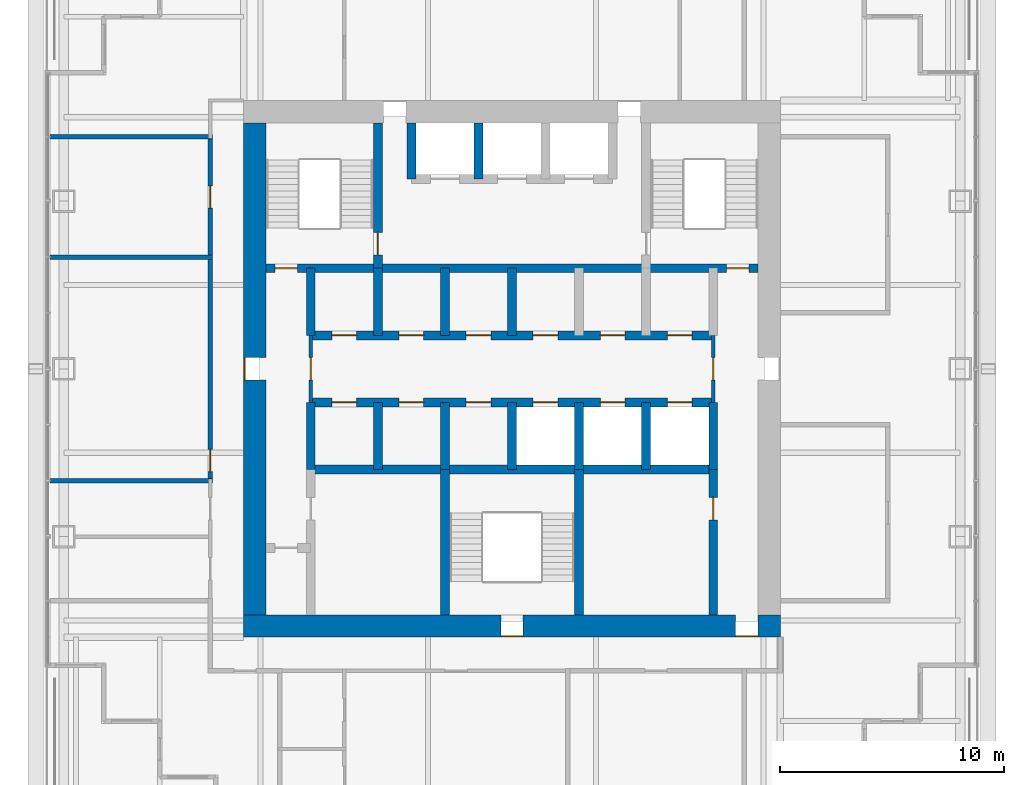
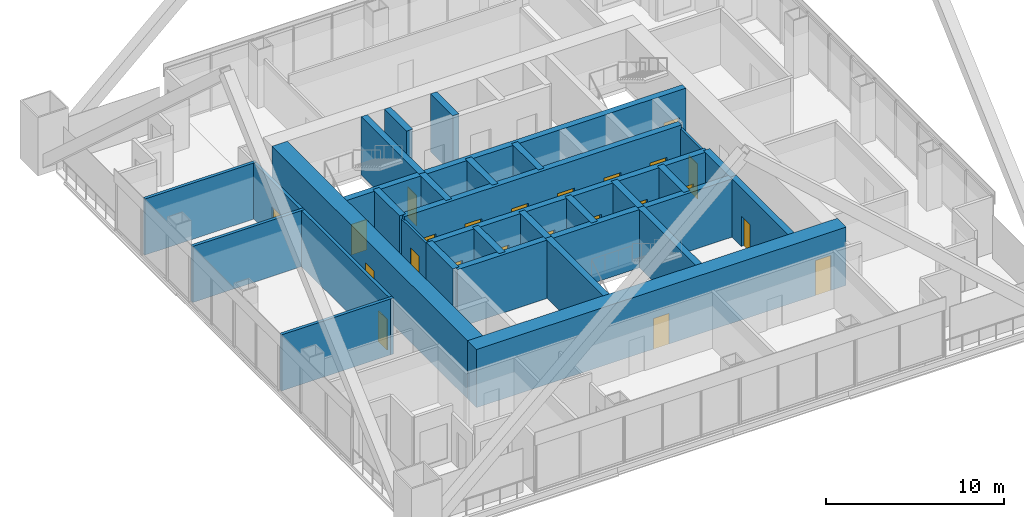
# One storey, part 9 of 13: 29 walls, 23 doors, 23 openings.
"""IFC4 building model written with IfcOpenShell, lengths in metres."""

from ifc_helpers import new_model, si_unit, direction, frame, frame_2d, origin, place, context, subcontext, project, spatial, rectangle, extrude, material, layer, layer_set, type_object, element, fill, save


model = new_model("IFC4")

# Units and contexts
model_context = context("Model", 3, precision=1e-05, world=origin(), true_north=direction((0.0, 1.0)))
body_context = subcontext(model_context, "Body", "Model", "MODEL_VIEW")
ifc_project = project(units=[si_unit("LENGTHUNIT", "METRE"), si_unit("AREAUNIT", "SQUARE_METRE"), si_unit("VOLUMEUNIT", "CUBIC_METRE"), si_unit("PLANEANGLEUNIT", "RADIAN"), si_unit("MASSUNIT", "GRAM", prefix="KILO")], contexts=[model_context])

# Site, building, storey
site_placement = place(None, origin())
site = spatial("IfcSite", under=ifc_project, at=site_placement, CompositionType="ELEMENT")
building_placement = place(site_placement, origin())
building = spatial("IfcBuilding", under=site, at=building_placement, Name="Tarangal Relay Tower", CompositionType="ELEMENT")
storey_placement = place(building_placement, frame((0.0, 0.0, 259.89990234375)))
storey = spatial("IfcBuildingStorey", under=building, at=storey_placement, Name="L56", CompositionType="ELEMENT", Elevation=259.89990234375)

# Walls
ifc_material_1 = material(Name="Two layers gypsum board each side on twin steel studs, mineral wool", Category="steel")
ifc_layer_1 = layer(ifc_material_1, 0.199951171875)
ifc_layer_set_1 = layer_set([ifc_layer_1], Name="Acoustic partition 200")
wall_type_1 = type_object("IfcWallType", Name="Acoustic partition 200", PredefinedType="PARTITIONING", material=ifc_layer_set_1)
for number, where, z_axis, x_axis, name in (
    (1, (-20.64990234375, -5.0, 0.0), (0.0, 0.0, 1.0), (1.0, 0.0, 0.0), "Partition PT2 L56"),
    (2, (-20.64990234375, 5.0, 0.0), (0.0, 0.0, 1.0), (1.0, 0.0, 0.0), "Partition PT2 L56"),
    (3, (-20.64990234375, 10.375, 0.0), (0.0, 0.0, 1.0), (1.0, 0.0, 0.0), "Partition PT2 L56"),
):
    element("IfcWall", number, at=place(storey_placement, frame(where, z_axis=z_axis, x_axis=x_axis)), inside=storey, type_object=wall_type_1, Name=name, PredefinedType="PARTITIONING", context=body_context, shape_type="SweptSolid", body=[
        extrude(rectangle(XDim=7.25, YDim=0.199951171875, at=frame_2d((3.625, 0.0))), origin(), (0.0, 0.0, 1.0), 3.85009765625),
    ])

# Wall, openings, doors
wall_1_placement = place(storey_placement, frame((-13.5, -5.10009765625, 0.0), z_axis=(0.0, 0.0, 1.0), x_axis=(0.0, 1.0, 0.0)))
wall_1 = element("IfcWall", 4, at=wall_1_placement, inside=storey, type_object=wall_type_1, Name="Partition PT2 L56", PredefinedType="PARTITIONING", context=body_context, shape_type="SweptSolid", body=[
    extrude(rectangle(XDim=15.5751953125, YDim=0.199951171875, at=frame_2d((7.78759765625, 0.0))), origin(), (0.0, 0.0, 1.0), 3.85009765625),
])
opening_1_placement = place(wall_1_placement, frame((0.5, 0.0, 0.0)))
opening_1 = element("IfcOpeningElement", 5, at=opening_1_placement, cuts=wall_1, Name="Opening D2", PredefinedType="OPENING", context=body_context, shape_type="SweptSolid", body=[
    extrude(rectangle(XDim=1.0, YDim=2.10009765625, at=frame_2d((0.5, 1.050048828125))), frame((0.0, 0.10986328125, 0.0), z_axis=(0.0, -1.0, 0.0), x_axis=(1.0, 0.0, 0.0)), (0.0, 0.0, 1.0), 0.219970703125),
])
opening_2_placement = place(wall_1_placement, frame((12.28759765625, 0.0, 0.0)))
opening_2 = element("IfcOpeningElement", 6, at=opening_2_placement, cuts=wall_1, Name="Opening D2", PredefinedType="OPENING", context=body_context, shape_type="SweptSolid", body=[
    extrude(rectangle(XDim=1.0, YDim=2.10009765625, at=frame_2d((0.5, 1.050048828125))), frame((0.0, 0.10986328125, 0.0), z_axis=(0.0, -1.0, 0.0), x_axis=(1.0, 0.0, 0.0)), (0.0, 0.0, 1.0), 0.219970703125),
])
ifc_material_2 = material(Name="Hardwood door", Category="wood")
door_type_1 = type_object("IfcDoorType", Name="Door 1000 x 2100", OperationType="SINGLE_SWING_LEFT", PredefinedType="DOOR", material=ifc_material_2)
door_1_placement = place(opening_1_placement, origin())
door_1 = element("IfcDoor", 7, at=door_1_placement, inside=storey, type_object=door_type_1, Name="Door D2 to prayer room for men L56-12", OperationType="SINGLE_SWING_LEFT", OverallHeight=2.10009765625, OverallWidth=1.0, PredefinedType="DOOR", context=body_context, shape_type="SweptSolid", body=[
    extrude(rectangle(XDim=1.0, YDim=2.10009765625, at=frame_2d((0.5, 1.050048828125))), frame((0.0, 0.02490234375, 0.0), z_axis=(0.0, -1.0, 0.0), x_axis=(1.0, 0.0, 0.0)), (0.0, 0.0, 1.0), 0.050048828125),
])
fill(opening_1, door_1)
door_2_placement = place(opening_2_placement, origin())
door_2 = element("IfcDoor", 8, at=door_2_placement, inside=storey, type_object=door_type_1, Name="Door D2 to quiet room L56-13", OperationType="SINGLE_SWING_LEFT", OverallHeight=2.10009765625, OverallWidth=1.0, PredefinedType="DOOR", context=body_context, shape_type="SweptSolid", body=[
    extrude(rectangle(XDim=1.0, YDim=2.10009765625, at=frame_2d((0.5, 1.050048828125))), frame((0.0, 0.02490234375, 0.0), z_axis=(0.0, -1.0, 0.0), x_axis=(1.0, 0.0, 0.0)), (0.0, 0.0, 1.0), 0.050048828125),
])
fill(opening_2, door_2)

ifc_material_3 = material(Name="Concrete fc' 60 MPa", Category="concrete")
ifc_layer_2 = layer(ifc_material_3, 0.39990234375)
ifc_layer_set_2 = layer_set([ifc_layer_2], Name="Core inner wall 400")
wall_type_2 = type_object("IfcWallType", Name="Core inner wall 400", PredefinedType="SHEAR", material=ifc_layer_set_2)
wall_2_placement = place(storey_placement, frame((-11.0, 4.5, 0.0), z_axis=(0.0, 0.0, 1.0), x_axis=(1.0, 0.0, 0.0)))
wall_2 = element("IfcWall", 9, at=wall_2_placement, inside=storey, type_object=wall_type_2, Name="Core wall Y45 L56", PredefinedType="SHEAR", context=body_context, shape_type="SweptSolid", body=[
    extrude(rectangle(XDim=22.0, YDim=0.39990234375, at=frame_2d((11.0, 0.0))), origin(), (0.0, 0.0, 1.0), 4.0),
])
opening_3_placement = place(wall_2_placement, frame((0.39990234375, 0.0, 0.0)))
opening_3 = element("IfcOpeningElement", 10, at=opening_3_placement, cuts=wall_2, Name="Opening FD1", PredefinedType="OPENING", context=body_context, shape_type="SweptSolid", body=[
    extrude(rectangle(XDim=1.0, YDim=2.10009765625, at=frame_2d((0.5, 1.050048828125))), frame((0.0, 0.2099609375, 0.0), z_axis=(0.0, -1.0, 0.0), x_axis=(1.0, 0.0, 0.0)), (0.0, 0.0, 1.0), 0.419921875),
])
opening_4_placement = place(wall_2_placement, frame((20.60009765625, 0.0, 0.0)))
opening_4 = element("IfcOpeningElement", 11, at=opening_4_placement, cuts=wall_2, Name="Opening FD1", PredefinedType="OPENING", context=body_context, shape_type="SweptSolid", body=[
    extrude(rectangle(XDim=1.0, YDim=2.10009765625, at=frame_2d((0.5, 1.050048828125))), frame((0.0, 0.2099609375, 0.0), z_axis=(0.0, -1.0, 0.0), x_axis=(1.0, 0.0, 0.0)), (0.0, 0.0, 1.0), 0.419921875),
])
ifc_material_4 = material(Name="Steel door with hardwood frame", Category="steel")
door_type_2 = type_object("IfcDoorType", Name="Fire door 1000 x 2100", OperationType="SINGLE_SWING_LEFT", PredefinedType="DOOR", material=ifc_material_4)
door_3_placement = place(opening_3_placement, origin())
door_3 = element("IfcDoor", 12, at=door_3_placement, inside=storey, type_object=door_type_2, Name="Stair ST-A door from corridor L56", OperationType="SINGLE_SWING_LEFT", OverallHeight=2.10009765625, OverallWidth=1.0, PredefinedType="DOOR", context=body_context, shape_type="SweptSolid", body=[
    extrude(rectangle(XDim=1.0, YDim=2.10009765625, at=frame_2d((0.5, 1.050048828125))), frame((0.0, 0.02490234375, 0.0), z_axis=(0.0, -1.0, 0.0), x_axis=(1.0, 0.0, 0.0)), (0.0, 0.0, 1.0), 0.050048828125),
])
fill(opening_3, door_3)
door_4_placement = place(opening_4_placement, origin())
door_4 = element("IfcDoor", 13, at=door_4_placement, inside=storey, type_object=door_type_2, Name="Stair ST-B door from corridor L56", OperationType="SINGLE_SWING_LEFT", OverallHeight=2.10009765625, OverallWidth=1.0, PredefinedType="DOOR", context=body_context, shape_type="SweptSolid", body=[
    extrude(rectangle(XDim=1.0, YDim=2.10009765625, at=frame_2d((0.5, 1.050048828125))), frame((0.0, 0.02490234375, 0.0), z_axis=(0.0, -1.0, 0.0), x_axis=(1.0, 0.0, 0.0)), (0.0, 0.0, 1.0), 0.050048828125),
])
fill(opening_4, door_4)

wall_3_placement = place(storey_placement, frame((-9.0, 1.5, 0.0), z_axis=(0.0, 0.0, 1.0), x_axis=(1.0, 0.0, 0.0)))
wall_3 = element("IfcWall", 14, at=wall_3_placement, inside=storey, type_object=wall_type_2, Name="Core wall Y15 L56", PredefinedType="SHEAR", context=body_context, shape_type="SweptSolid", body=[
    extrude(rectangle(XDim=18.0, YDim=0.39990234375, at=frame_2d((9.0, 0.0))), origin(), (0.0, 0.0, 1.0), 4.0),
])
opening_5_placement = place(wall_3_placement, frame((0.949951171875, 0.0, 0.0)))
opening_5 = element("IfcOpeningElement", 15, at=opening_5_placement, cuts=wall_3, Name="Opening D4", PredefinedType="OPENING", context=body_context, shape_type="SweptSolid", body=[
    extrude(rectangle(XDim=1.10009765625, YDim=2.10009765625, at=frame_2d((0.550048828125, 1.050048828125))), frame((0.0, 0.2099609375, 0.0), z_axis=(0.0, -1.0, 0.0), x_axis=(1.0, 0.0, 0.0)), (0.0, 0.0, 1.0), 0.419921875),
])
opening_6_placement = place(wall_3_placement, frame((3.949951171875, 0.0, 0.0)))
opening_6 = element("IfcOpeningElement", 16, at=opening_6_placement, cuts=wall_3, Name="Opening D4", PredefinedType="OPENING", context=body_context, shape_type="SweptSolid", body=[
    extrude(rectangle(XDim=1.10009765625, YDim=2.10009765625, at=frame_2d((0.550048828125, 1.050048828125))), frame((0.0, 0.2099609375, 0.0), z_axis=(0.0, -1.0, 0.0), x_axis=(1.0, 0.0, 0.0)), (0.0, 0.0, 1.0), 0.419921875),
])
opening_7_placement = place(wall_3_placement, frame((6.949951171875, 0.0, 0.0)))
opening_7 = element("IfcOpeningElement", 17, at=opening_7_placement, cuts=wall_3, Name="Opening D4", PredefinedType="OPENING", context=body_context, shape_type="SweptSolid", body=[
    extrude(rectangle(XDim=1.10009765625, YDim=2.10009765625, at=frame_2d((0.550048828125, 1.050048828125))), frame((0.0, 0.2099609375, 0.0), z_axis=(0.0, -1.0, 0.0), x_axis=(1.0, 0.0, 0.0)), (0.0, 0.0, 1.0), 0.419921875),
])
opening_8_placement = place(wall_3_placement, frame((9.949951171875, 0.0, 0.0)))
opening_8 = element("IfcOpeningElement", 18, at=opening_8_placement, cuts=wall_3, Name="Opening D4", PredefinedType="OPENING", context=body_context, shape_type="SweptSolid", body=[
    extrude(rectangle(XDim=1.10009765625, YDim=2.10009765625, at=frame_2d((0.550048828125, 1.050048828125))), frame((0.0, 0.2099609375, 0.0), z_axis=(0.0, -1.0, 0.0), x_axis=(1.0, 0.0, 0.0)), (0.0, 0.0, 1.0), 0.419921875),
])
opening_9_placement = place(wall_3_placement, frame((12.949951171875, 0.0, 0.0)))
opening_9 = element("IfcOpeningElement", 19, at=opening_9_placement, cuts=wall_3, Name="Opening D4", PredefinedType="OPENING", context=body_context, shape_type="SweptSolid", body=[
    extrude(rectangle(XDim=1.10009765625, YDim=2.10009765625, at=frame_2d((0.550048828125, 1.050048828125))), frame((0.0, 0.2099609375, 0.0), z_axis=(0.0, -1.0, 0.0), x_axis=(1.0, 0.0, 0.0)), (0.0, 0.0, 1.0), 0.419921875),
])
opening_10_placement = place(wall_3_placement, frame((15.949951171875, 0.0, 0.0)))
opening_10 = element("IfcOpeningElement", 20, at=opening_10_placement, cuts=wall_3, Name="Opening D4", PredefinedType="OPENING", context=body_context, shape_type="SweptSolid", body=[
    extrude(rectangle(XDim=1.10009765625, YDim=2.10009765625, at=frame_2d((0.550048828125, 1.050048828125))), frame((0.0, 0.2099609375, 0.0), z_axis=(0.0, -1.0, 0.0), x_axis=(1.0, 0.0, 0.0)), (0.0, 0.0, 1.0), 0.419921875),
])
door_type_3 = type_object("IfcDoorType", Name="Core room door 1100 x 2100", OperationType="SINGLE_SWING_RIGHT", PredefinedType="DOOR", material=ifc_material_4)
door_5_placement = place(opening_5_placement, origin())
door_5 = element("IfcDoor", 21, at=door_5_placement, inside=storey, type_object=door_type_3, Name="Door D4 to it room L56-D1", OperationType="SINGLE_SWING_RIGHT", OverallHeight=2.10009765625, OverallWidth=1.10009765625, PredefinedType="DOOR", context=body_context, shape_type="SweptSolid", body=[
    extrude(rectangle(XDim=1.10009765625, YDim=2.10009765625, at=frame_2d((0.550048828125, 1.050048828125))), frame((0.0, 0.02490234375, 0.0), z_axis=(0.0, -1.0, 0.0), x_axis=(1.0, 0.0, 0.0)), (0.0, 0.0, 1.0), 0.050048828125),
])
fill(opening_5, door_5)
door_6_placement = place(opening_6_placement, origin())
door_6 = element("IfcDoor", 22, at=door_6_placement, inside=storey, type_object=door_type_3, Name="Door D4 to cleaner's store L56-D2", OperationType="SINGLE_SWING_RIGHT", OverallHeight=2.10009765625, OverallWidth=1.10009765625, PredefinedType="DOOR", context=body_context, shape_type="SweptSolid", body=[
    extrude(rectangle(XDim=1.10009765625, YDim=2.10009765625, at=frame_2d((0.550048828125, 1.050048828125))), frame((0.0, 0.02490234375, 0.0), z_axis=(0.0, -1.0, 0.0), x_axis=(1.0, 0.0, 0.0)), (0.0, 0.0, 1.0), 0.050048828125),
])
fill(opening_6, door_6)
door_7_placement = place(opening_7_placement, origin())
door_7 = element("IfcDoor", 23, at=door_7_placement, inside=storey, type_object=door_type_3, Name="Door D4 to staff wc L56-D3", OperationType="SINGLE_SWING_RIGHT", OverallHeight=2.10009765625, OverallWidth=1.10009765625, PredefinedType="DOOR", context=body_context, shape_type="SweptSolid", body=[
    extrude(rectangle(XDim=1.10009765625, YDim=2.10009765625, at=frame_2d((0.550048828125, 1.050048828125))), frame((0.0, 0.02490234375, 0.0), z_axis=(0.0, -1.0, 0.0), x_axis=(1.0, 0.0, 0.0)), (0.0, 0.0, 1.0), 0.050048828125),
])
fill(opening_7, door_7)
door_8_placement = place(opening_8_placement, origin())
door_8 = element("IfcDoor", 24, at=door_8_placement, inside=storey, type_object=door_type_3, Name="Door D4 to staff pantry L56-T1", OperationType="SINGLE_SWING_RIGHT", OverallHeight=2.10009765625, OverallWidth=1.10009765625, PredefinedType="DOOR", context=body_context, shape_type="SweptSolid", body=[
    extrude(rectangle(XDim=1.10009765625, YDim=2.10009765625, at=frame_2d((0.550048828125, 1.050048828125))), frame((0.0, 0.02490234375, 0.0), z_axis=(0.0, -1.0, 0.0), x_axis=(1.0, 0.0, 0.0)), (0.0, 0.0, 1.0), 0.050048828125),
])
fill(opening_8, door_8)
door_9_placement = place(opening_9_placement, origin())
door_9 = element("IfcDoor", 25, at=door_9_placement, inside=storey, type_object=door_type_3, Name="Door D4 to it room L56-T2", OperationType="SINGLE_SWING_RIGHT", OverallHeight=2.10009765625, OverallWidth=1.10009765625, PredefinedType="DOOR", context=body_context, shape_type="SweptSolid", body=[
    extrude(rectangle(XDim=1.10009765625, YDim=2.10009765625, at=frame_2d((0.550048828125, 1.050048828125))), frame((0.0, 0.02490234375, 0.0), z_axis=(0.0, -1.0, 0.0), x_axis=(1.0, 0.0, 0.0)), (0.0, 0.0, 1.0), 0.050048828125),
])
fill(opening_9, door_9)
door_10_placement = place(opening_10_placement, origin())
door_10 = element("IfcDoor", 26, at=door_10_placement, inside=storey, type_object=door_type_3, Name="Door D4 to cleaner's store L56-T3", OperationType="SINGLE_SWING_RIGHT", OverallHeight=2.10009765625, OverallWidth=1.10009765625, PredefinedType="DOOR", context=body_context, shape_type="SweptSolid", body=[
    extrude(rectangle(XDim=1.10009765625, YDim=2.10009765625, at=frame_2d((0.550048828125, 1.050048828125))), frame((0.0, 0.02490234375, 0.0), z_axis=(0.0, -1.0, 0.0), x_axis=(1.0, 0.0, 0.0)), (0.0, 0.0, 1.0), 0.050048828125),
])
fill(opening_10, door_10)

wall_4_placement = place(storey_placement, frame((-9.0, -1.5, 0.0), z_axis=(0.0, 0.0, 1.0), x_axis=(1.0, 0.0, 0.0)))
wall_4 = element("IfcWall", 27, at=wall_4_placement, inside=storey, type_object=wall_type_2, Name="Core wall YM15 L56", PredefinedType="SHEAR", context=body_context, shape_type="SweptSolid", body=[
    extrude(rectangle(XDim=18.0, YDim=0.39990234375, at=frame_2d((9.0, 0.0))), origin(), (0.0, 0.0, 1.0), 4.0),
])
opening_11_placement = place(wall_4_placement, frame((9.949951171875, 0.0, 0.0)))
opening_11 = element("IfcOpeningElement", 28, at=opening_11_placement, cuts=wall_4, Name="Opening LD1", PredefinedType="OPENING", context=body_context, shape_type="SweptSolid", body=[
    extrude(rectangle(XDim=1.10009765625, YDim=2.10009765625, at=frame_2d((0.550048828125, 1.050048828125))), frame((0.0, 0.2099609375, 0.0), z_axis=(0.0, -1.0, 0.0), x_axis=(1.0, 0.0, 0.0)), (0.0, 0.0, 1.0), 0.419921875),
])
opening_12_placement = place(wall_4_placement, frame((12.949951171875, 0.0, 0.0)))
opening_12 = element("IfcOpeningElement", 29, at=opening_12_placement, cuts=wall_4, Name="Opening LD1", PredefinedType="OPENING", context=body_context, shape_type="SweptSolid", body=[
    extrude(rectangle(XDim=1.10009765625, YDim=2.10009765625, at=frame_2d((0.550048828125, 1.050048828125))), frame((0.0, 0.2099609375, 0.0), z_axis=(0.0, -1.0, 0.0), x_axis=(1.0, 0.0, 0.0)), (0.0, 0.0, 1.0), 0.419921875),
])
opening_13_placement = place(wall_4_placement, frame((15.949951171875, 0.0, 0.0)))
opening_13 = element("IfcOpeningElement", 30, at=opening_13_placement, cuts=wall_4, Name="Opening LD1", PredefinedType="OPENING", context=body_context, shape_type="SweptSolid", body=[
    extrude(rectangle(XDim=1.10009765625, YDim=2.10009765625, at=frame_2d((0.550048828125, 1.050048828125))), frame((0.0, 0.2099609375, 0.0), z_axis=(0.0, -1.0, 0.0), x_axis=(1.0, 0.0, 0.0)), (0.0, 0.0, 1.0), 0.419921875),
])
opening_14_placement = place(wall_4_placement, frame((0.949951171875, 0.0, 0.0)))
opening_14 = element("IfcOpeningElement", 31, at=opening_14_placement, cuts=wall_4, Name="Opening D4", PredefinedType="OPENING", context=body_context, shape_type="SweptSolid", body=[
    extrude(rectangle(XDim=1.10009765625, YDim=2.10009765625, at=frame_2d((0.550048828125, 1.050048828125))), frame((0.0, 0.2099609375, 0.0), z_axis=(0.0, -1.0, 0.0), x_axis=(1.0, 0.0, 0.0)), (0.0, 0.0, 1.0), 0.419921875),
])
opening_15_placement = place(wall_4_placement, frame((3.949951171875, 0.0, 0.0)))
opening_15 = element("IfcOpeningElement", 32, at=opening_15_placement, cuts=wall_4, Name="Opening D4", PredefinedType="OPENING", context=body_context, shape_type="SweptSolid", body=[
    extrude(rectangle(XDim=1.10009765625, YDim=2.10009765625, at=frame_2d((0.550048828125, 1.050048828125))), frame((0.0, 0.2099609375, 0.0), z_axis=(0.0, -1.0, 0.0), x_axis=(1.0, 0.0, 0.0)), (0.0, 0.0, 1.0), 0.419921875),
])
opening_16_placement = place(wall_4_placement, frame((6.949951171875, 0.0, 0.0)))
opening_16 = element("IfcOpeningElement", 33, at=opening_16_placement, cuts=wall_4, Name="Opening D4", PredefinedType="OPENING", context=body_context, shape_type="SweptSolid", body=[
    extrude(rectangle(XDim=1.10009765625, YDim=2.10009765625, at=frame_2d((0.550048828125, 1.050048828125))), frame((0.0, 0.2099609375, 0.0), z_axis=(0.0, -1.0, 0.0), x_axis=(1.0, 0.0, 0.0)), (0.0, 0.0, 1.0), 0.419921875),
])
door_11_placement = place(opening_14_placement, origin())
door_11 = element("IfcDoor", 34, at=door_11_placement, inside=storey, type_object=door_type_3, Name="Door D4 to staff wc L56-S1", OperationType="SINGLE_SWING_RIGHT", OverallHeight=2.10009765625, OverallWidth=1.10009765625, PredefinedType="DOOR", context=body_context, shape_type="SweptSolid", body=[
    extrude(rectangle(XDim=1.10009765625, YDim=2.10009765625, at=frame_2d((0.550048828125, 1.050048828125))), frame((0.0, 0.02490234375, 0.0), z_axis=(0.0, -1.0, 0.0), x_axis=(1.0, 0.0, 0.0)), (0.0, 0.0, 1.0), 0.050048828125),
])
fill(opening_14, door_11)
door_12_placement = place(opening_15_placement, origin())
door_12 = element("IfcDoor", 35, at=door_12_placement, inside=storey, type_object=door_type_3, Name="Door D4 to staff pantry L56-S2", OperationType="SINGLE_SWING_RIGHT", OverallHeight=2.10009765625, OverallWidth=1.10009765625, PredefinedType="DOOR", context=body_context, shape_type="SweptSolid", body=[
    extrude(rectangle(XDim=1.10009765625, YDim=2.10009765625, at=frame_2d((0.550048828125, 1.050048828125))), frame((0.0, 0.02490234375, 0.0), z_axis=(0.0, -1.0, 0.0), x_axis=(1.0, 0.0, 0.0)), (0.0, 0.0, 1.0), 0.050048828125),
])
fill(opening_15, door_12)
door_13_placement = place(opening_16_placement, origin())
door_13 = element("IfcDoor", 36, at=door_13_placement, inside=storey, type_object=door_type_3, Name="Door D4 to it room L56-S3", OperationType="SINGLE_SWING_RIGHT", OverallHeight=2.10009765625, OverallWidth=1.10009765625, PredefinedType="DOOR", context=body_context, shape_type="SweptSolid", body=[
    extrude(rectangle(XDim=1.10009765625, YDim=2.10009765625, at=frame_2d((0.550048828125, 1.050048828125))), frame((0.0, 0.02490234375, 0.0), z_axis=(0.0, -1.0, 0.0), x_axis=(1.0, 0.0, 0.0)), (0.0, 0.0, 1.0), 0.050048828125),
])
fill(opening_16, door_13)
door_type_4 = type_object("IfcDoorType", Name="Lift landing door 1100 x 2100", OperationType="SLIDING_TO_LEFT", PredefinedType="DOOR", material=ifc_material_4)
door_14_placement = place(opening_11_placement, origin())
door_14 = element("IfcDoor", 37, at=door_14_placement, inside=storey, type_object=door_type_4, Name="Lift OH1 landing door L56", OperationType="SLIDING_TO_LEFT", OverallHeight=2.10009765625, OverallWidth=1.10009765625, PredefinedType="DOOR", context=body_context, shape_type="SweptSolid", body=[
    extrude(rectangle(XDim=1.10009765625, YDim=2.10009765625, at=frame_2d((0.550048828125, 1.050048828125))), frame((0.0, 0.02490234375, 0.0), z_axis=(0.0, -1.0, 0.0), x_axis=(1.0, 0.0, 0.0)), (0.0, 0.0, 1.0), 0.050048828125),
])
fill(opening_11, door_14)
door_15_placement = place(opening_12_placement, origin())
door_15 = element("IfcDoor", 38, at=door_15_placement, inside=storey, type_object=door_type_4, Name="Lift OH2 landing door L56", OperationType="SLIDING_TO_LEFT", OverallHeight=2.10009765625, OverallWidth=1.10009765625, PredefinedType="DOOR", context=body_context, shape_type="SweptSolid", body=[
    extrude(rectangle(XDim=1.10009765625, YDim=2.10009765625, at=frame_2d((0.550048828125, 1.050048828125))), frame((0.0, 0.02490234375, 0.0), z_axis=(0.0, -1.0, 0.0), x_axis=(1.0, 0.0, 0.0)), (0.0, 0.0, 1.0), 0.050048828125),
])
fill(opening_12, door_15)
door_16_placement = place(opening_13_placement, origin())
door_16 = element("IfcDoor", 39, at=door_16_placement, inside=storey, type_object=door_type_4, Name="Lift OH3 landing door L56", OperationType="SLIDING_TO_LEFT", OverallHeight=2.10009765625, OverallWidth=1.10009765625, PredefinedType="DOOR", context=body_context, shape_type="SweptSolid", body=[
    extrude(rectangle(XDim=1.10009765625, YDim=2.10009765625, at=frame_2d((0.550048828125, 1.050048828125))), frame((0.0, 0.02490234375, 0.0), z_axis=(0.0, -1.0, 0.0), x_axis=(1.0, 0.0, 0.0)), (0.0, 0.0, 1.0), 0.050048828125),
])
fill(opening_13, door_16)

# Walls
wall_5_placement = place(storey_placement, frame((-9.0, -4.5, 0.0), z_axis=(0.0, 0.0, 1.0), x_axis=(1.0, 0.0, 0.0)))
element("IfcWall", 40, at=wall_5_placement, inside=storey, type_object=wall_type_2, Name="Core wall YM45 L56", PredefinedType="SHEAR", context=body_context, shape_type="SweptSolid", body=[
    extrude(rectangle(XDim=18.0, YDim=0.39990234375, at=frame_2d((9.0, 0.0))), origin(), (0.0, 0.0, 1.0), 4.0),
])
for number, where, z_axis, x_axis, name in (
    (41, (-9.0, 1.5, 0.0), (0.0, 0.0, 1.0), (0.0, 1.0, 0.0), "Core wall XM9N L56"),
    (42, (-9.0, -4.5, 0.0), (0.0, 0.0, 1.0), (0.0, 1.0, 0.0), "Core wall XM9S L56"),
    (43, (9.0, -4.5, 0.0), (0.0, 0.0, 1.0), (0.0, 1.0, 0.0), "Core wall X9S L56"),
    (44, (-6.0, 1.5, 0.0), (0.0, 0.0, 1.0), (0.0, 1.0, 0.0), "Core wall XM6N L56"),
    (45, (-3.0, 1.5, 0.0), (0.0, 0.0, 1.0), (0.0, 1.0, 0.0), "Core wall XM3N L56"),
    (46, (0.0, 1.5, 0.0), (0.0, 0.0, 1.0), (0.0, 1.0, 0.0), "Core wall X0N L56"),
    (47, (-6.0, -4.5, 0.0), (0.0, 0.0, 1.0), (0.0, 1.0, 0.0), "Core wall XM6S L56"),
    (48, (-3.0, -4.5, 0.0), (0.0, 0.0, 1.0), (0.0, 1.0, 0.0), "Core wall XM3S L56"),
    (49, (0.0, -4.5, 0.0), (0.0, 0.0, 1.0), (0.0, 1.0, 0.0), "Core wall X0S L56"),
    (50, (3.0, -4.5, 0.0), (0.0, 0.0, 1.0), (0.0, 1.0, 0.0), "Core wall X3S L56"),
    (51, (6.0, -4.5, 0.0), (0.0, 0.0, 1.0), (0.0, 1.0, 0.0), "Core wall X6S L56"),
):
    element("IfcWall", number, at=place(storey_placement, frame(where, z_axis=z_axis, x_axis=x_axis)), inside=storey, type_object=wall_type_2, Name=name, PredefinedType="SHEAR", context=body_context, shape_type="SweptSolid", body=[
        extrude(rectangle(XDim=3.0, YDim=0.39990234375, at=frame_2d((1.5, 0.0))), origin(), (0.0, 0.0, 1.0), 4.0),
    ])

# Wall, opening, door
wall_6_placement = place(storey_placement, frame((-6.0, 4.5, 0.0), z_axis=(0.0, 0.0, 1.0), x_axis=(0.0, 1.0, 0.0)))
wall_6 = element("IfcWall", 52, at=wall_6_placement, inside=storey, type_object=wall_type_2, Name="Core wall XM6 L56", PredefinedType="SHEAR", context=body_context, shape_type="SweptSolid", body=[
    extrude(rectangle(XDim=6.5, YDim=0.39990234375, at=frame_2d((3.25, 0.0))), origin(), (0.0, 0.0, 1.0), 4.0),
])
opening_17_placement = place(wall_6_placement, frame((0.60009765625, 0.0, 0.0)))
opening_17 = element("IfcOpeningElement", 53, at=opening_17_placement, cuts=wall_6, Name="Opening FD1", PredefinedType="OPENING", context=body_context, shape_type="SweptSolid", body=[
    extrude(rectangle(XDim=1.0, YDim=2.10009765625, at=frame_2d((0.5, 1.050048828125))), frame((0.0, 0.2099609375, 0.0), z_axis=(0.0, -1.0, 0.0), x_axis=(1.0, 0.0, 0.0)), (0.0, 0.0, 1.0), 0.419921875),
])
door_17_placement = place(opening_17_placement, origin())
door_17 = element("IfcDoor", 54, at=door_17_placement, inside=storey, type_object=door_type_2, Name="Stair ST-A door from fire-fighting lobby L56", OperationType="SINGLE_SWING_LEFT", OverallHeight=2.10009765625, OverallWidth=1.0, PredefinedType="DOOR", context=body_context, shape_type="SweptSolid", body=[
    extrude(rectangle(XDim=1.0, YDim=2.10009765625, at=frame_2d((0.5, 1.050048828125))), frame((0.0, 0.02490234375, 0.0), z_axis=(0.0, -1.0, 0.0), x_axis=(1.0, 0.0, 0.0)), (0.0, 0.0, 1.0), 0.050048828125),
])
fill(opening_17, door_17)

# Walls
for number, where, z_axis, x_axis, name in (
    (55, (-4.5, 8.5, 0.0), (0.0, 0.0, 1.0), (0.0, 1.0, 0.0), "Core wall XM45 L56"),
    (56, (-1.5, 8.5, 0.0), (0.0, 0.0, 1.0), (0.0, 1.0, 0.0), "Core wall XM15 L56"),
):
    element("IfcWall", number, at=place(storey_placement, frame(where, z_axis=z_axis, x_axis=x_axis)), inside=storey, type_object=wall_type_2, Name=name, PredefinedType="SHEAR", context=body_context, shape_type="SweptSolid", body=[
        extrude(rectangle(XDim=2.5, YDim=0.39990234375, at=frame_2d((1.25, 0.0))), origin(), (0.0, 0.0, 1.0), 4.0),
    ])

# Wall, opening, door
wall_7_placement = place(storey_placement, frame((9.0, -11.0, 0.0), z_axis=(0.0, 0.0, 1.0), x_axis=(0.0, 1.0, 0.0)))
wall_7 = element("IfcWall", 57, at=wall_7_placement, inside=storey, type_object=wall_type_2, Name="Core wall X9W L56", PredefinedType="SHEAR", context=body_context, shape_type="SweptSolid", body=[
    extrude(rectangle(XDim=6.5, YDim=0.39990234375, at=frame_2d((3.25, 0.0))), origin(), (0.0, 0.0, 1.0), 4.0),
])
opening_18_placement = place(wall_7_placement, frame((4.25, 0.0, 0.0)))
opening_18 = element("IfcOpeningElement", 58, at=opening_18_placement, cuts=wall_7, Name="Opening D1", PredefinedType="OPENING", context=body_context, shape_type="SweptSolid", body=[
    extrude(rectangle(XDim=1.0, YDim=2.10009765625, at=frame_2d((0.5, 1.050048828125))), frame((0.0, 0.2099609375, 0.0), z_axis=(0.0, -1.0, 0.0), x_axis=(1.0, 0.0, 0.0)), (0.0, 0.0, 1.0), 0.419921875),
])
door_type_5 = type_object("IfcDoorType", Name="WC door 1000 x 2100", OperationType="SINGLE_SWING_LEFT", PredefinedType="DOOR", material=ifc_material_2)
door_18_placement = place(opening_18_placement, origin())
door_18 = element("IfcDoor", 59, at=door_18_placement, inside=storey, type_object=door_type_5, Name="Female WC door L56", OperationType="SINGLE_SWING_LEFT", OverallHeight=2.10009765625, OverallWidth=1.0, PredefinedType="DOOR", context=body_context, shape_type="SweptSolid", body=[
    extrude(rectangle(XDim=1.0, YDim=2.10009765625, at=frame_2d((0.5, 1.050048828125))), frame((0.0, 0.02490234375, 0.0), z_axis=(0.0, -1.0, 0.0), x_axis=(1.0, 0.0, 0.0)), (0.0, 0.0, 1.0), 0.050048828125),
])
fill(opening_18, door_18)

# Walls
for number, where, z_axis, x_axis, name in (
    (60, (-3.0, -11.0, 0.0), (0.0, 0.0, 1.0), (0.0, 1.0, 0.0), "Core wall XM3W L56"),
    (61, (3.0, -11.0, 0.0), (0.0, 0.0, 1.0), (0.0, 1.0, 0.0), "Core wall X3W L56"),
):
    element("IfcWall", number, at=place(storey_placement, frame(where, z_axis=z_axis, x_axis=x_axis)), inside=storey, type_object=wall_type_2, Name=name, PredefinedType="SHEAR", context=body_context, shape_type="SweptSolid", body=[
        extrude(rectangle(XDim=6.5, YDim=0.39990234375, at=frame_2d((3.25, 0.0))), origin(), (0.0, 0.0, 1.0), 4.0),
    ])

# Wall, openings, doors
ifc_layer_3 = layer(ifc_material_3, 1.0)
ifc_layer_set_3 = layer_set([ifc_layer_3], Name="Core wall 1000")
wall_type_3 = type_object("IfcWallType", Name="Core wall 1000", PredefinedType="SHEAR", material=ifc_layer_set_3)
wall_8_placement = place(storey_placement, frame((12.0, -11.5, 0.0), z_axis=(0.0, 0.0, 1.0), x_axis=(-1.0, 0.0, 0.0)))
wall_8 = element("IfcWall", 62, at=wall_8_placement, inside=storey, type_object=wall_type_3, Name="Core wall S L56", PredefinedType="SHEAR", context=body_context, shape_type="SweptSolid", body=[
    extrude(rectangle(XDim=24.0, YDim=1.0, at=frame_2d((12.0, 0.0))), origin(), (0.0, 0.0, 1.0), 4.0),
])
opening_19_placement = place(wall_8_placement, frame((11.5, 0.0, 0.0)))
opening_19 = element("IfcOpeningElement", 63, at=opening_19_placement, cuts=wall_8, Name="Opening FD1", PredefinedType="OPENING", context=body_context, shape_type="SweptSolid", body=[
    extrude(rectangle(XDim=1.0, YDim=2.10009765625, at=frame_2d((0.5, 1.050048828125))), frame((0.0, 0.510009765625, 0.0), z_axis=(0.0, -1.0, 0.0), x_axis=(1.0, 0.0, 0.0)), (0.0, 0.0, 1.0), 1.02001953125),
])
opening_20_placement = place(wall_8_placement, frame((1.0, 0.0, 0.0)))
opening_20 = element("IfcOpeningElement", 64, at=opening_20_placement, cuts=wall_8, Name="Opening FD3", PredefinedType="OPENING", context=body_context, shape_type="SweptSolid", body=[
    extrude(rectangle(XDim=1.0, YDim=2.39990234375, at=frame_2d((0.5, 1.199951171875))), frame((0.0, 0.510009765625, 0.0), z_axis=(0.0, -1.0, 0.0), x_axis=(1.0, 0.0, 0.0)), (0.0, 0.0, 1.0), 1.02001953125),
])
door_19_placement = place(opening_19_placement, origin())
door_19 = element("IfcDoor", 65, at=door_19_placement, inside=storey, type_object=door_type_2, Name="Stair ST-C door L56", OperationType="SINGLE_SWING_LEFT", OverallHeight=2.10009765625, OverallWidth=1.0, PredefinedType="DOOR", context=body_context, shape_type="SweptSolid", body=[
    extrude(rectangle(XDim=1.0, YDim=2.10009765625, at=frame_2d((0.5, 1.050048828125))), frame((0.0, 0.48486328125, 0.0), z_axis=(0.0, -1.0, 0.0), x_axis=(1.0, 0.0, 0.0)), (0.0, 0.0, 1.0), 0.050048828125),
])
fill(opening_19, door_19)
door_type_6 = type_object("IfcDoorType", Name="Fire door 1000 x 2400 core entry", OperationType="SINGLE_SWING_RIGHT", PredefinedType="DOOR", material=ifc_material_4)
door_20_placement = place(opening_20_placement, origin())
door_20 = element("IfcDoor", 66, at=door_20_placement, inside=storey, type_object=door_type_6, Name="Core entry door south east L56", OperationType="SINGLE_SWING_RIGHT", OverallHeight=2.39990234375, OverallWidth=1.0, PredefinedType="DOOR", context=body_context, shape_type="SweptSolid", body=[
    extrude(rectangle(XDim=1.0, YDim=2.39990234375, at=frame_2d((0.5, 1.199951171875))), frame((0.0, 0.48486328125, 0.0), z_axis=(0.0, -1.0, 0.0), x_axis=(1.0, 0.0, 0.0)), (0.0, 0.0, 1.0), 0.050048828125),
])
fill(opening_20, door_20)

# Wall, opening, door
wall_9_placement = place(storey_placement, frame((-11.5, -11.0, 0.0), z_axis=(0.0, 0.0, 1.0), x_axis=(0.0, 1.0, 0.0)))
wall_9 = element("IfcWall", 67, at=wall_9_placement, inside=storey, type_object=wall_type_3, Name="Core wall W L56", PredefinedType="SHEAR", context=body_context, shape_type="SweptSolid", body=[
    extrude(rectangle(XDim=22.0, YDim=1.0, at=frame_2d((11.0, 0.0))), origin(), (0.0, 0.0, 1.0), 4.0),
])
opening_21_placement = place(wall_9_placement, frame((10.5, 0.0, 0.0)))
opening_21 = element("IfcOpeningElement", 68, at=opening_21_placement, cuts=wall_9, Name="Opening FD3", PredefinedType="OPENING", context=body_context, shape_type="SweptSolid", body=[
    extrude(rectangle(XDim=1.0, YDim=2.39990234375, at=frame_2d((0.5, 1.199951171875))), frame((0.0, 0.510009765625, 0.0), z_axis=(0.0, -1.0, 0.0), x_axis=(1.0, 0.0, 0.0)), (0.0, 0.0, 1.0), 1.02001953125),
])
door_21_placement = place(opening_21_placement, origin())
door_21 = element("IfcDoor", 69, at=door_21_placement, inside=storey, type_object=door_type_6, Name="Core entry door west L56", OperationType="SINGLE_SWING_RIGHT", OverallHeight=2.39990234375, OverallWidth=1.0, PredefinedType="DOOR", context=body_context, shape_type="SweptSolid", body=[
    extrude(rectangle(XDim=1.0, YDim=2.39990234375, at=frame_2d((0.5, 1.199951171875))), frame((0.0, 0.48486328125, 0.0), z_axis=(0.0, -1.0, 0.0), x_axis=(1.0, 0.0, 0.0)), (0.0, 0.0, 1.0), 0.050048828125),
])
fill(opening_21, door_21)

ifc_material_5 = material(Name="Gypsum board on steel studs", Category="steel")
ifc_layer_4 = layer(ifc_material_5, 0.14990234375)
ifc_layer_set_4 = layer_set([ifc_layer_4], Name="Partition 150")
wall_type_4 = type_object("IfcWallType", Name="Partition 150", PredefinedType="PARTITIONING", material=ifc_layer_set_4)
wall_10_placement = place(storey_placement, frame((-9.0, -1.5, 0.0), z_axis=(0.0, 0.0, 1.0), x_axis=(0.0, 1.0, 0.0)))
wall_10 = element("IfcWall", 70, at=wall_10_placement, inside=storey, type_object=wall_type_4, Name="Partition PT1 L56", PredefinedType="PARTITIONING", context=body_context, shape_type="SweptSolid", body=[
    extrude(rectangle(XDim=3.0, YDim=0.14990234375, at=frame_2d((1.5, 0.0))), origin(), (0.0, 0.0, 1.0), 3.75),
])
opening_22_placement = place(wall_10_placement, frame((1.0, 0.0, 0.0)))
opening_22 = element("IfcOpeningElement", 71, at=opening_22_placement, cuts=wall_10, Name="Opening FD3", PredefinedType="OPENING", context=body_context, shape_type="SweptSolid", body=[
    extrude(rectangle(XDim=1.0, YDim=2.39990234375, at=frame_2d((0.5, 1.199951171875))), frame((0.0, 0.0849609375, 0.0), z_axis=(0.0, -1.0, 0.0), x_axis=(1.0, 0.0, 0.0)), (0.0, 0.0, 1.0), 0.169921875),
])
door_22_placement = place(opening_22_placement, origin())
door_22 = element("IfcDoor", 72, at=door_22_placement, inside=storey, type_object=door_type_6, Name="Lift lobby door FD3 to the west corridor L56", OperationType="SINGLE_SWING_RIGHT", OverallHeight=2.39990234375, OverallWidth=1.0, PredefinedType="DOOR", context=body_context, shape_type="SweptSolid", body=[
    extrude(rectangle(XDim=1.0, YDim=2.39990234375, at=frame_2d((0.5, 1.199951171875))), frame((0.0, 0.02490234375, 0.0), z_axis=(0.0, -1.0, 0.0), x_axis=(1.0, 0.0, 0.0)), (0.0, 0.0, 1.0), 0.050048828125),
])
fill(opening_22, door_22)

wall_11_placement = place(storey_placement, frame((9.0, -1.5, 0.0), z_axis=(0.0, 0.0, 1.0), x_axis=(0.0, 1.0, 0.0)))
wall_11 = element("IfcWall", 73, at=wall_11_placement, inside=storey, type_object=wall_type_4, Name="Partition PT1 L56", PredefinedType="PARTITIONING", context=body_context, shape_type="SweptSolid", body=[
    extrude(rectangle(XDim=3.0, YDim=0.14990234375, at=frame_2d((1.5, 0.0))), origin(), (0.0, 0.0, 1.0), 3.75),
])
opening_23_placement = place(wall_11_placement, frame((1.0, 0.0, 0.0)))
opening_23 = element("IfcOpeningElement", 74, at=opening_23_placement, cuts=wall_11, Name="Opening FD3", PredefinedType="OPENING", context=body_context, shape_type="SweptSolid", body=[
    extrude(rectangle(XDim=1.0, YDim=2.39990234375, at=frame_2d((0.5, 1.199951171875))), frame((0.0, 0.0849609375, 0.0), z_axis=(0.0, -1.0, 0.0), x_axis=(1.0, 0.0, 0.0)), (0.0, 0.0, 1.0), 0.169921875),
])
door_23_placement = place(opening_23_placement, origin())
door_23 = element("IfcDoor", 75, at=door_23_placement, inside=storey, type_object=door_type_6, Name="Lift lobby door FD3 to the east corridor L56", OperationType="SINGLE_SWING_RIGHT", OverallHeight=2.39990234375, OverallWidth=1.0, PredefinedType="DOOR", context=body_context, shape_type="SweptSolid", body=[
    extrude(rectangle(XDim=1.0, YDim=2.39990234375, at=frame_2d((0.5, 1.199951171875))), frame((0.0, 0.02490234375, 0.0), z_axis=(0.0, -1.0, 0.0), x_axis=(1.0, 0.0, 0.0)), (0.0, 0.0, 1.0), 0.050048828125),
])
fill(opening_23, door_23)

save(model, "model.ifc")
